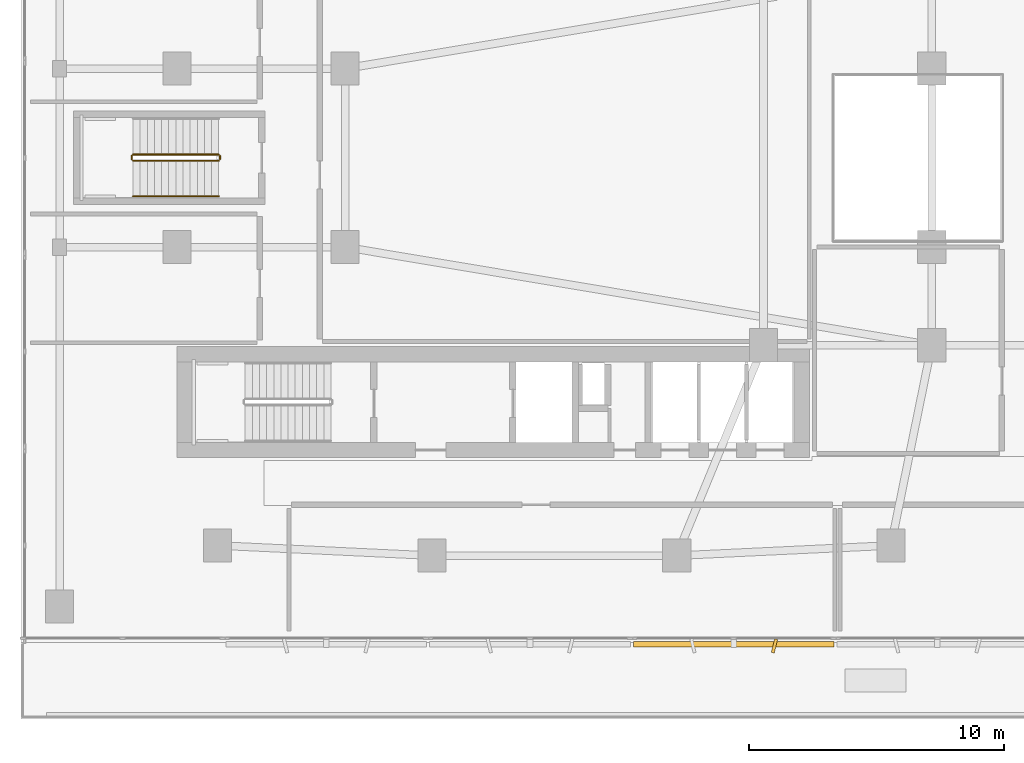
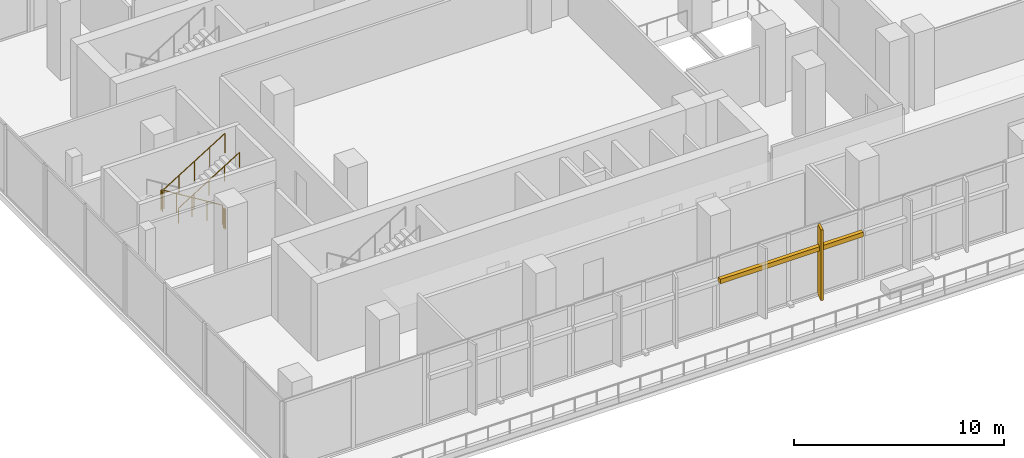
# One storey, part 20 of 31: 5 railings, 2 shading devices.
"""IFC4 building model written with IfcOpenShell, lengths in metres."""

from ifc_helpers import new_model, si_unit, derived_unit, direction, frame, origin, origin_2d, place, context, subcontext, project, spatial, rectangle, circle, extrude, material, type_object, element, save


model = new_model("IFC4")

# Units and contexts
model_context = context("Model", 3, precision=1e-05, world=origin(), true_north=direction((0.0, 1.0)))
body_context = subcontext(model_context, "Body", "Model", "MODEL_VIEW")
ifc_project = project(units=[si_unit("LENGTHUNIT", "METRE"), si_unit("AREAUNIT", "SQUARE_METRE"), si_unit("VOLUMEUNIT", "CUBIC_METRE"), si_unit("PLANEANGLEUNIT", "RADIAN"), si_unit("MASSUNIT", "GRAM", prefix="KILO"), derived_unit("THERMALTRANSMITTANCEUNIT", [(si_unit("POWERUNIT", "WATT"), 1), (si_unit("LENGTHUNIT", "METRE"), -2), (si_unit("THERMODYNAMICTEMPERATUREUNIT", "KELVIN"), -1)])], contexts=[model_context])

# Site, building, storey
site_placement = place(None, origin())
site = spatial("IfcSite", under=ifc_project, at=site_placement, CompositionType="ELEMENT")
building_placement = place(site_placement, origin())
building = spatial("IfcBuilding", under=site, at=building_placement, Name="Kivonza Crest Hotel", CompositionType="ELEMENT")
storey_placement = place(building_placement, frame((0.0, 0.0, 15.0)))
storey = spatial("IfcBuildingStorey", under=building, at=storey_placement, Name="L03", CompositionType="ELEMENT", Elevation=15.0)

# Railings
ifc_material_1 = material(Name="Brushed stainless steel handrail", Category="steel")
railing_type_1 = type_object("IfcRailingType", Name="RL-HAND-900", PredefinedType="HANDRAIL", material=ifc_material_1)
railing_1_placement = place(storey_placement, frame((4.47998046875, 23.489990234375, 2.423095703125)))
element("IfcRailing", 1, at=railing_1_placement, inside=storey, type_object=railing_type_1, Name="L03 ST-POD-W stair handrail 2", PredefinedType="HANDRAIL", context=body_context, shape_type="SweptSolid", body=[
    extrude(circle(Radius=0.02392578125, at=origin_2d()), frame((0.0, 0.0, 0.8759765625), z_axis=(0.850623216509, 0.0, 0.525775754039), x_axis=(0.0, 1.0, 0.0)), (0.0, 0.0, 1.0), 3.9501953125),
    extrude(circle(Radius=0.02099609375, at=origin_2d()), origin(), (0.0, 0.0, 1.0), 0.851806640625),
    extrude(circle(Radius=0.02099609375, at=origin_2d()), frame((0.840087890625, 0.0, 0.519287109375)), (0.0, 0.0, 1.0), 0.851806640625),
    extrude(circle(Radius=0.02099609375, at=origin_2d()), frame((1.68017578125, 0.0, 1.03857421875)), (0.0, 0.0, 1.0), 0.851806640625),
    extrude(circle(Radius=0.02099609375, at=origin_2d()), frame((2.52001953125, 0.0, 1.5576171875)), (0.0, 0.0, 1.0), 0.851806640625),
    extrude(circle(Radius=0.02099609375, at=origin_2d()), frame((3.360107421875, 0.0, 2.076904296875)), (0.0, 0.0, 1.0), 0.851806640625),
])
ifc_material_2 = material(Name="Painted steel balustrade", Category="steel")
railing_type_2 = type_object("IfcRailingType", Name="RL-STAIR-1150", PredefinedType="BALUSTRADE", material=ifc_material_2)
railing_2_placement = place(storey_placement, frame((7.840087890625, 25.1298828125, 0.173095703125)))
element("IfcRailing", 2, at=railing_2_placement, inside=storey, type_object=railing_type_2, Name="L03 ST-POD-W stair guard 1", PredefinedType="BALUSTRADE", context=body_context, shape_type="SweptSolid", body=[
    extrude(circle(Radius=0.02392578125, at=origin_2d()), frame((0.0, 0.0, 1.1259765625), z_axis=(-0.850623216509, 0.0, 0.525775754039), x_axis=(0.0, -1.0, 0.0)), (0.0, 0.0, 1.0), 3.9501953125),
    extrude(circle(Radius=0.02099609375, at=origin_2d()), origin(), (0.0, 0.0, 1.0), 1.101806640625),
    extrude(circle(Radius=0.02099609375, at=origin_2d()), frame((-0.840087890625, 0.0, 0.519287109375)), (0.0, 0.0, 1.0), 1.101806640625),
    extrude(circle(Radius=0.02099609375, at=origin_2d()), frame((-1.68017578125, 0.0, 1.03857421875)), (0.0, 0.0, 1.0), 1.101806640625),
    extrude(circle(Radius=0.02099609375, at=origin_2d()), frame((-2.52001953125, 0.0, 1.5576171875)), (0.0, 0.0, 1.0), 1.101806640625),
    extrude(circle(Radius=0.02099609375, at=origin_2d()), frame((-3.360107421875, 0.0, 2.076904296875)), (0.0, 0.0, 1.0), 1.101806640625),
])
railing_3_placement = place(storey_placement, frame((4.429931640625, 25.080078125, 2.25)))
element("IfcRailing", 3, at=railing_3_placement, inside=storey, type_object=railing_type_2, Name="L03 ST-POD-W stair guard 2", PredefinedType="BALUSTRADE", context=body_context, shape_type="SweptSolid", body=[
    extrude(circle(Radius=0.02392578125, at=origin_2d()), frame((0.0, 0.0, 1.1259765625), z_axis=(0.0, -1.0, 0.0), x_axis=(1.0, 0.0, 0.0)), (0.0, 0.0, 1.0), 0.14013671875),
    extrude(circle(Radius=0.02099609375, at=origin_2d()), origin(), (0.0, 0.0, 1.0), 1.101806640625),
    extrude(circle(Radius=0.02099609375, at=origin_2d()), frame((0.0, -0.14013671875, 0.0)), (0.0, 0.0, 1.0), 1.101806640625),
])
railing_4_placement = place(storey_placement, frame((4.47998046875, 24.889892578125, 2.423095703125)))
element("IfcRailing", 4, at=railing_4_placement, inside=storey, type_object=railing_type_2, Name="L03 ST-POD-W stair guard 3", PredefinedType="BALUSTRADE", context=body_context, shape_type="SweptSolid", body=[
    extrude(circle(Radius=0.02392578125, at=origin_2d()), frame((0.0, 0.0, 1.1259765625), z_axis=(0.850623216509, 0.0, 0.525775754039), x_axis=(0.0, 1.0, 0.0)), (0.0, 0.0, 1.0), 3.9501953125),
    extrude(circle(Radius=0.02099609375, at=origin_2d()), origin(), (0.0, 0.0, 1.0), 1.101806640625),
    extrude(circle(Radius=0.02099609375, at=origin_2d()), frame((0.840087890625, 0.0, 0.519287109375)), (0.0, 0.0, 1.0), 1.101806640625),
    extrude(circle(Radius=0.02099609375, at=origin_2d()), frame((1.68017578125, 0.0, 1.03857421875)), (0.0, 0.0, 1.0), 1.101806640625),
    extrude(circle(Radius=0.02099609375, at=origin_2d()), frame((2.52001953125, 0.0, 1.5576171875)), (0.0, 0.0, 1.0), 1.101806640625),
    extrude(circle(Radius=0.02099609375, at=origin_2d()), frame((3.360107421875, 0.0, 2.076904296875)), (0.0, 0.0, 1.0), 1.101806640625),
])
railing_5_placement = place(storey_placement, frame((7.889892578125, 25.080078125, 0.0)))
element("IfcRailing", 5, at=railing_5_placement, inside=storey, type_object=railing_type_2, Name="L03 ST-POD-W stair guard 4", PredefinedType="BALUSTRADE", context=body_context, shape_type="SweptSolid", body=[
    extrude(circle(Radius=0.02392578125, at=origin_2d()), frame((0.0, 0.0, 1.1259765625), z_axis=(0.0, -1.0, 0.0), x_axis=(1.0, 0.0, 0.0)), (0.0, 0.0, 1.0), 0.14013671875),
    extrude(circle(Radius=0.02099609375, at=origin_2d()), origin(), (0.0, 0.0, 1.0), 1.101806640625),
    extrude(circle(Radius=0.02099609375, at=origin_2d()), frame((0.0, -0.14013671875, 0.0)), (0.0, 0.0, 1.0), 1.101806640625),
])

# Shading devices
ifc_material_3 = material(Name="Kiln-fired Nairobi red-ochre terracotta", Category="masonry")
shading_device_type_1 = type_object("IfcShadingDeviceType", Name="SH-BAGUETTE-300", PredefinedType="USERDEFINED", material=ifc_material_3)
shading_device_1_placement = place(storey_placement, frame((28.033935546875, 5.919921875, 2.740234375), z_axis=(0.0, 0.0, 1.0), x_axis=(1.0, 0.0, 0.0)))
element("IfcShadingDevice", 6, at=shading_device_1_placement, inside=storey, type_object=shading_device_type_1, Name="L03 terracotta baguette screen CW-POD-L03-04", ObjectType="BAGUETTE", PredefinedType="USERDEFINED", context=body_context, shape_type="SweptSolid", body=[
    extrude(rectangle(XDim=7.866943359375, YDim=0.219970703125, at=origin_2d()), origin(), (0.0, 0.0, 1.0), 0.260009765625),
])
ifc_material_4 = material(Name="Kiln-fired terracotta over extruded aluminium spine", Category="masonry")
shading_device_type_2 = type_object("IfcShadingDeviceType", Name="SH-FIN-550", PredefinedType="USERDEFINED", material=ifc_material_4)
shading_device_2_placement = place(storey_placement, frame((29.631103515625, 5.860107421875, 0.0), z_axis=(0.0, 0.0, 1.0), x_axis=(0.970295726276, -0.2419218956, 0.0)))
element("IfcShadingDevice", 7, at=shading_device_2_placement, inside=storey, type_object=shading_device_type_2, Name="L03 vertical solar shading fin CW-POD-L03-04-2", ObjectType="FIN", PredefinedType="USERDEFINED", context=body_context, shape_type="SweptSolid", body=[
    extrude(rectangle(XDim=0.1201171875, YDim=0.550048828125, at=origin_2d()), origin(), (0.0, 0.0, 1.0), 4.10009765625),
])

save(model, "model.ifc")
